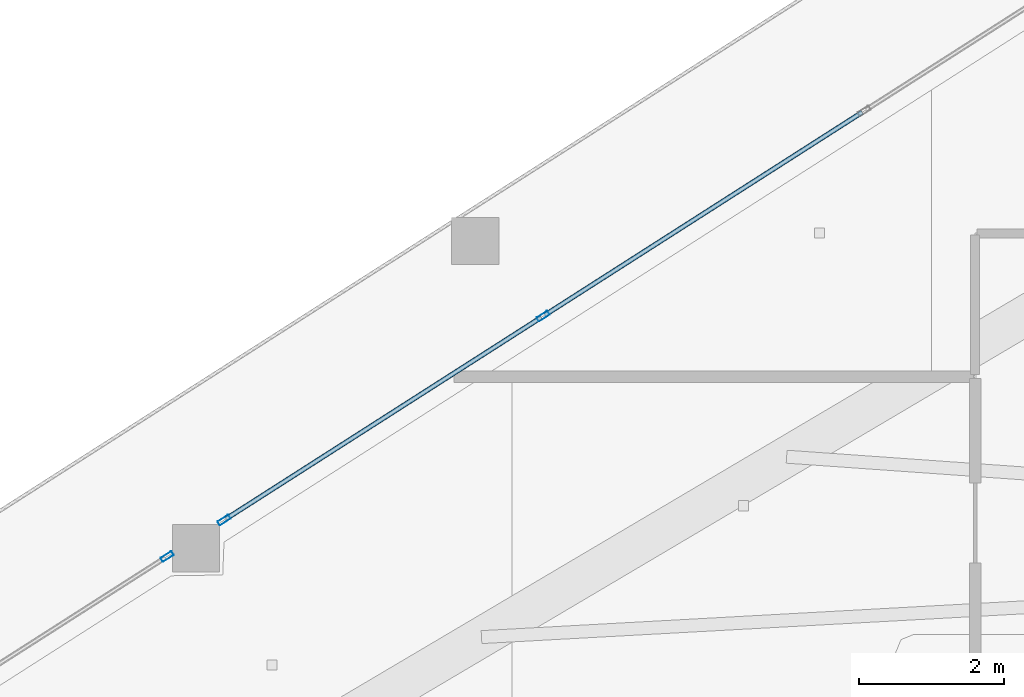
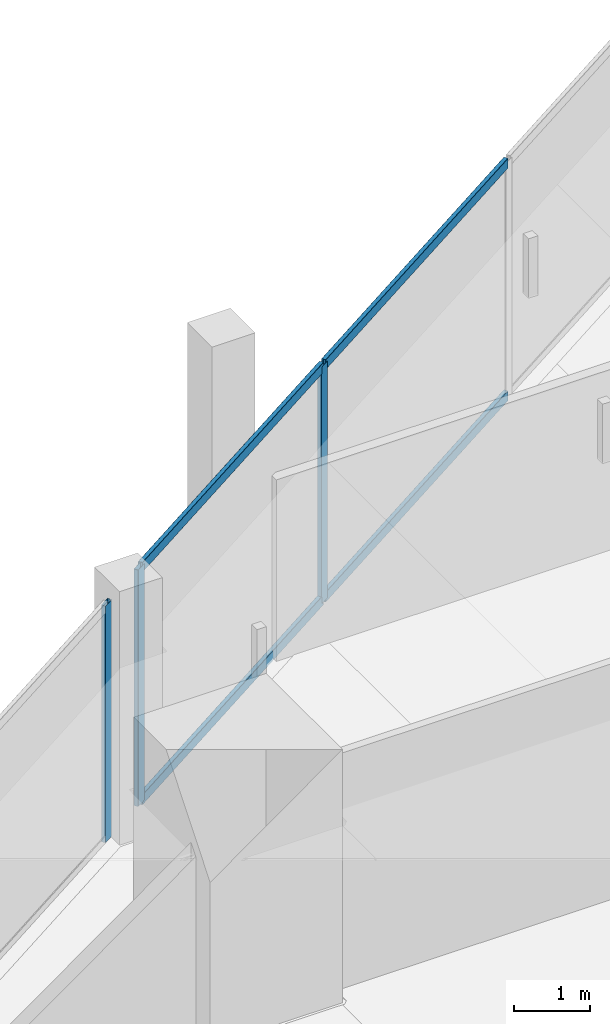
# One storey, part 13 of 33: 7 members, 2 elements without a shape of their own.
"""IFC4 building model written with IfcOpenShell, lengths in metres."""

from ifc_helpers import new_model, si_unit, direction, frame, origin, origin_2d, place, context, subcontext, project, spatial, hollow_rectangle, extrude, material, layer, layer_set, material_profile, profile_set, type_object, element, aggregate, save


model = new_model("IFC4")

# Units and contexts
model_context = context("Model", 3, precision=1e-05, world=origin(), true_north=direction((0.0, 1.0)))
body_context = subcontext(model_context, "Body", "Model", "MODEL_VIEW")
ifc_project = project(units=[si_unit("LENGTHUNIT", "METRE"), si_unit("AREAUNIT", "SQUARE_METRE"), si_unit("VOLUMEUNIT", "CUBIC_METRE"), si_unit("PLANEANGLEUNIT", "RADIAN"), si_unit("MASSUNIT", "GRAM", prefix="KILO")], contexts=[model_context])

# Site, building, storey
site_placement = place(None, origin())
site = spatial("IfcSite", under=ifc_project, at=site_placement, CompositionType="ELEMENT")
building_placement = place(site_placement, origin())
building = spatial("IfcBuilding", under=site, at=building_placement, Name="Qorvath Tower", CompositionType="ELEMENT")
storey_placement = place(building_placement, frame((0.0, 0.0, 209.10009765625)))
storey = spatial("IfcBuildingStorey", under=building, at=storey_placement, Name="L48", CompositionType="ELEMENT", Elevation=209.10009765625)

# Curtain wall, members
ifc_material_1 = material(Name="Anodised aluminium and triple low-E glass", Category="aluminium")
ifc_layer = layer(ifc_material_1, 0.179931640625)
ifc_layer_set = layer_set([ifc_layer], Name="CW-SYS-3")
curtain_wall_type = type_object("IfcCurtainWallType", Name="CW-SYS-3", PredefinedType="NOTDEFINED", material=ifc_layer_set)
curtain_wall_1_placement = place(storey_placement, origin())
curtain_wall_1 = element("IfcCurtainWall", 1, at=curtain_wall_1_placement, inside=storey, type_object=curtain_wall_type, Name="Curtain Wall CW-3 CW-T-L48-16.1", PredefinedType="NOTDEFINED")
ifc_material_2 = material(Name="Anodised aluminium 6063-T6", Category="aluminium")
ifc_material_profile_1 = material_profile(ifc_material_2, hollow_rectangle(XDim=0.06494140625, YDim=0.179931640625, WallThickness=0.00341796875, InnerFilletRadius=0.00341796875, OuterFilletRadius=0.007080078125, at=origin_2d()), Name="CWM 180x65")
ifc_profile_set_1 = profile_set([ifc_material_profile_1], Name="Anodised aluminium 6063-T6")
member_type_1 = type_object("IfcMemberType", Name="CWM-180", PredefinedType="MULLION", material=ifc_profile_set_1)
member_1_placement = place(storey_placement, frame((-43.802001953125, 9.6181640625, 0.0), z_axis=(0.0, 0.0, 1.0), x_axis=(0.538532455845, -0.842604767374, 0.0)))
member_1 = element("IfcMember", 2, at=member_1_placement, type_object=member_type_1, Name="CW-3 mullion 7", PredefinedType="MULLION", context=body_context, shape_type="SweptSolid", body=[
    extrude(hollow_rectangle(XDim=0.06494140625, YDim=0.179931640625, WallThickness=0.00341796875, InnerFilletRadius=0.00341796875, OuterFilletRadius=0.007080078125, at=origin_2d()), origin(), (0.0, 0.0, 1.0), 3.77978515625),
])
member_2_placement = place(storey_placement, frame((-48.1923828125, 6.812255859375, 0.0), z_axis=(0.0, 0.0, 1.0), x_axis=(0.538532455845, -0.842604767374, 0.0)))
member_2 = element("IfcMember", 3, at=member_2_placement, type_object=member_type_1, Name="CW-3 mullion 8", PredefinedType="MULLION", context=body_context, shape_type="SweptSolid", body=[
    extrude(hollow_rectangle(XDim=0.06494140625, YDim=0.179931640625, WallThickness=0.00341796875, InnerFilletRadius=0.00341796875, OuterFilletRadius=0.007080078125, at=origin_2d()), origin(), (0.0, 0.0, 1.0), 3.77978515625),
])

# Curtain wall, member
curtain_wall_2_placement = place(storey_placement, origin())
curtain_wall_2 = element("IfcCurtainWall", 4, at=curtain_wall_2_placement, inside=storey, type_object=curtain_wall_type, Name="Curtain Wall CW-3 CW-T-L48-16.2", PredefinedType="NOTDEFINED")
member_3_placement = place(storey_placement, frame((-48.975830078125, 6.311279296875, 0.0), z_axis=(0.0, 0.0, 1.0), x_axis=(0.538536522375, -0.842602168326, 0.0)))
member_3 = element("IfcMember", 5, at=member_3_placement, type_object=member_type_1, Name="CW-3 mullion 1", PredefinedType="MULLION", context=body_context, shape_type="SweptSolid", body=[
    extrude(hollow_rectangle(XDim=0.06494140625, YDim=0.179931640625, WallThickness=0.00341796875, InnerFilletRadius=0.00341796875, OuterFilletRadius=0.007080078125, at=origin_2d()), origin(), (0.0, 0.0, 1.0), 3.77978515625),
])
aggregate(curtain_wall_2, [member_3])

# Member
ifc_material_3 = material(Name="Anodised aluminium 6063-T6", Category="aluminium")
ifc_material_profile_2 = material_profile(ifc_material_3, hollow_rectangle(XDim=0.06494140625, YDim=0.159912109375, WallThickness=0.00341796875, InnerFilletRadius=0.00341796875, OuterFilletRadius=0.007080078125, at=origin_2d()), Name="CWT 160x65")
ifc_profile_set_2 = profile_set([ifc_material_profile_2], Name="Anodised aluminium 6063-T6")
member_type_2 = type_object("IfcMemberType", Name="CWT-160", PredefinedType="USERDEFINED", material=ifc_profile_set_2)
member_4_placement = place(storey_placement, frame((-39.41162109375, 12.424072265625, 0.032470703125), z_axis=(-0.84262316261, -0.538503672999, 0.0), x_axis=(0.538503672999, -0.84262316261, 0.0)))
member_4 = element("IfcMember", 6, at=member_4_placement, type_object=member_type_2, Name="CW-3 transom 6.1", ObjectType="TRANSOM", PredefinedType="USERDEFINED", context=body_context, shape_type="SweptSolid", body=[
    extrude(hollow_rectangle(XDim=0.06494140625, YDim=0.159912109375, WallThickness=0.00341796875, InnerFilletRadius=0.00341796875, OuterFilletRadius=0.007080078125, at=origin_2d()), origin(), (0.0, 0.0, 1.0), 5.177978515625),
])

member_5_placement = place(storey_placement, frame((-39.41162109375, 12.424072265625, 3.747314453125), z_axis=(-0.84262316261, -0.538503672999, 0.0), x_axis=(0.538503672999, -0.84262316261, 0.0)))
member_5 = element("IfcMember", 7, at=member_5_placement, type_object=member_type_2, Name="CW-3 transom 6.2", ObjectType="TRANSOM", PredefinedType="USERDEFINED", context=body_context, shape_type="SweptSolid", body=[
    extrude(hollow_rectangle(XDim=0.06494140625, YDim=0.159912109375, WallThickness=0.00341796875, InnerFilletRadius=0.00341796875, OuterFilletRadius=0.007080078125, at=origin_2d()), origin(), (0.0, 0.0, 1.0), 5.177978515625),
])

member_6_placement = place(storey_placement, frame((-43.829345703125, 9.6005859375, 0.032470703125), z_axis=(-0.842610740644, -0.538523109765, 0.0), x_axis=(0.538523109765, -0.842610740644, 0.0)))
member_6 = element("IfcMember", 8, at=member_6_placement, type_object=member_type_2, Name="CW-3 transom 7.1", ObjectType="TRANSOM", PredefinedType="USERDEFINED", context=body_context, shape_type="SweptSolid", body=[
    extrude(hollow_rectangle(XDim=0.06494140625, YDim=0.159912109375, WallThickness=0.00341796875, InnerFilletRadius=0.00341796875, OuterFilletRadius=0.007080078125, at=origin_2d()), origin(), (0.0, 0.0, 1.0), 5.1455078125),
])

member_7_placement = place(storey_placement, frame((-43.829345703125, 9.6005859375, 3.747314453125), z_axis=(-0.842610740644, -0.538523109765, 0.0), x_axis=(0.538523109765, -0.842610740644, 0.0)))
member_7 = element("IfcMember", 9, at=member_7_placement, type_object=member_type_2, Name="CW-3 transom 7.2", ObjectType="TRANSOM", PredefinedType="USERDEFINED", context=body_context, shape_type="SweptSolid", body=[
    extrude(hollow_rectangle(XDim=0.06494140625, YDim=0.159912109375, WallThickness=0.00341796875, InnerFilletRadius=0.00341796875, OuterFilletRadius=0.007080078125, at=origin_2d()), origin(), (0.0, 0.0, 1.0), 5.1455078125),
])

aggregate(curtain_wall_1, [member_1, member_2, member_4, member_5, member_6, member_7])

save(model, "model.ifc")
